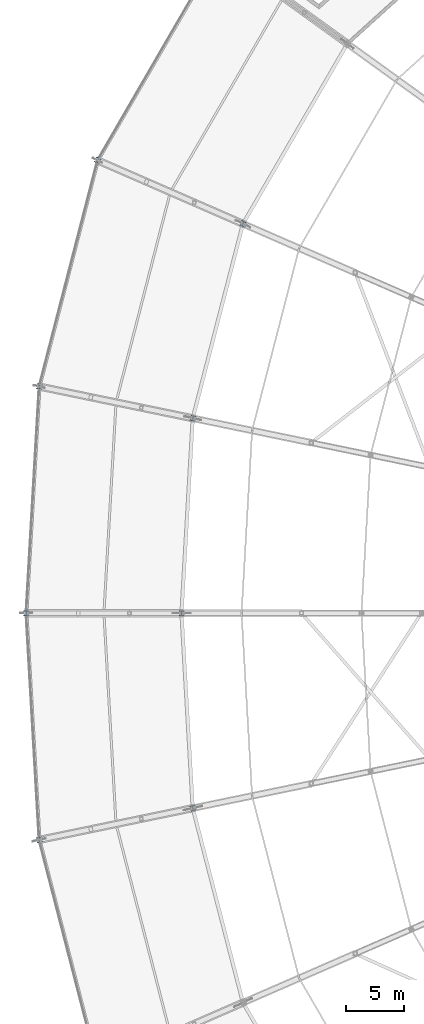
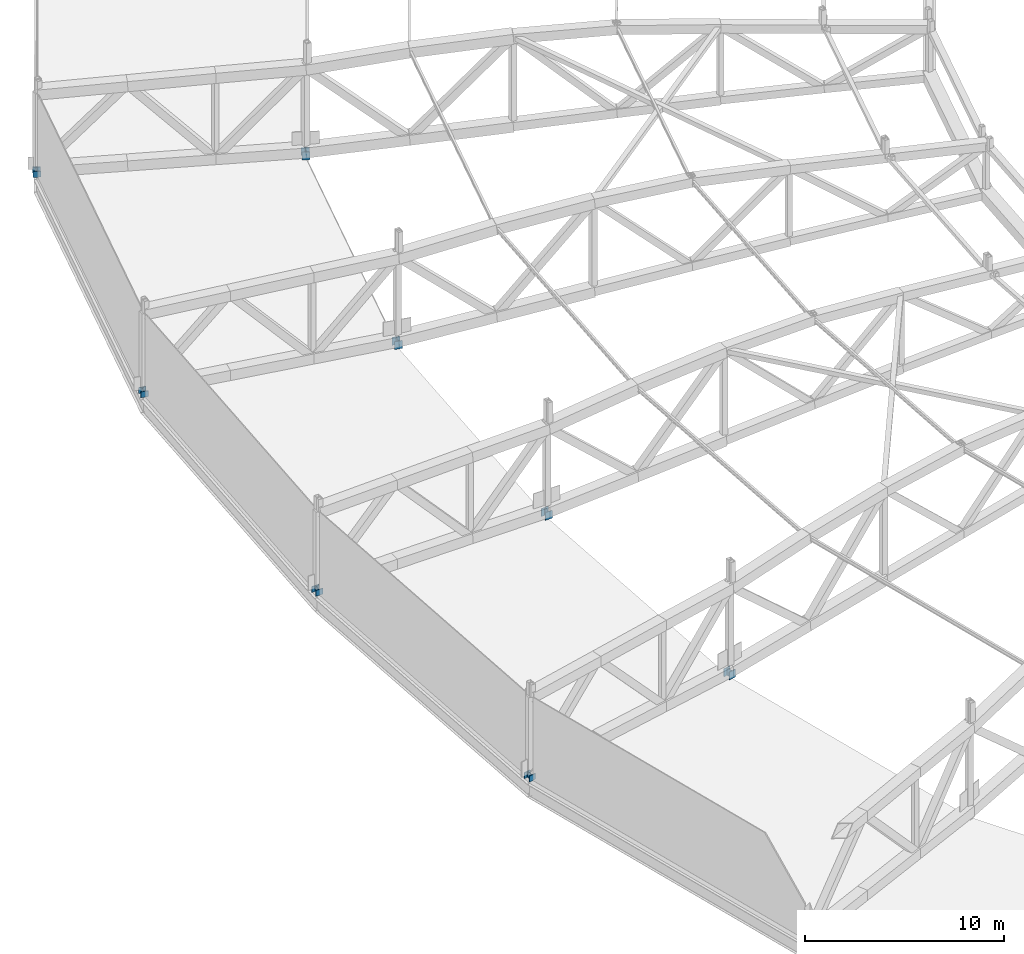
# One storey, part 8 of 162: 8 columns.
"""IFC4 building model written with IfcOpenShell, lengths in metres."""

from ifc_helpers import new_model, si_unit, direction, frame, origin, origin_2d, place, context, subcontext, project, spatial, i_section, extrude, material, material_profile, profile_set, type_object, element, save


model = new_model("IFC4")

# Units and contexts
model_context = context("Model", 3, precision=1e-05, world=origin(), true_north=direction((0.0, 1.0)))
body_context = subcontext(model_context, "Body", "Model", "MODEL_VIEW")
ifc_project = project(units=[si_unit("LENGTHUNIT", "METRE"), si_unit("AREAUNIT", "SQUARE_METRE"), si_unit("VOLUMEUNIT", "CUBIC_METRE"), si_unit("PLANEANGLEUNIT", "RADIAN"), si_unit("MASSUNIT", "GRAM", prefix="KILO")], contexts=[model_context])

# Site, building, storey
site_placement = place(None, origin())
site = spatial("IfcSite", under=ifc_project, at=site_placement, CompositionType="ELEMENT")
building_placement = place(site_placement, origin())
building = spatial("IfcBuilding", under=site, at=building_placement, Name="Kazemori Nagisa Stadium", CompositionType="ELEMENT")
storey_placement = place(building_placement, frame((0.0, 0.0, 36.719970703125)))
storey = spatial("IfcBuildingStorey", under=building, at=storey_placement, Name="RF", CompositionType="ELEMENT", Elevation=36.719970703125)

# Columns
ifc_material = material(Name="Steel SN490B", Category="steel")
ifc_material_profile = material_profile(ifc_material, i_section(OverallWidth=0.406982421875, OverallDepth=0.427978515625, WebThickness=0.02001953125, FlangeThickness=0.034912109375, FilletRadius=0.012939453125, at=origin_2d()), Name="H-428x407x20x35")
ifc_profile_set = profile_set([ifc_material_profile], Name="Steel SN490B")
column_type = type_object("IfcColumnType", Name="Column_C-H428", PredefinedType="COLUMN", material=ifc_profile_set)
column_1_placement = place(storey_placement, frame((34.114990234375, 140.74951171875, 0.0), z_axis=(0.0, 0.0, 1.0), x_axis=(-0.900968867905, 0.433883739113, 0.0)))
element("IfcColumn", 1, at=column_1_placement, inside=storey, type_object=column_type, Name="Roof truss bearing pedestal R3-13", PredefinedType="COLUMN", context=body_context, shape_type="SweptSolid", body=[
    extrude(i_section(OverallWidth=0.406982421875, OverallDepth=0.427978515625, WebThickness=0.02001953125, FlangeThickness=0.034912109375, FilletRadius=0.012939453125, at=origin_2d()), origin(), (0.0, 0.0, 1.0), 0.360107421875),
])
column_2_placement = place(storey_placement, frame((46.55908203125, 135.32470703125, 0.0), z_axis=(0.0, 0.0, 1.0), x_axis=(-0.900968867905, 0.433883739113, 0.0)))
element("IfcColumn", 2, at=column_2_placement, inside=storey, type_object=column_type, Name="Roof truss bearing pedestal R2-13", PredefinedType="COLUMN", context=body_context, shape_type="SweptSolid", body=[
    extrude(i_section(OverallWidth=0.406982421875, OverallDepth=0.427978515625, WebThickness=0.02001953125, FlangeThickness=0.034912109375, FilletRadius=0.012939453125, at=origin_2d()), origin(), (0.0, 0.0, 1.0), 0.47998046875),
])
column_3_placement = place(storey_placement, frame((29.119140625, 121.397705078125, 0.0), z_axis=(0.0, 0.0, 1.0), x_axis=(-0.974927912182, 0.222520933954, 0.0)))
element("IfcColumn", 3, at=column_3_placement, inside=storey, type_object=column_type, Name="Roof truss bearing pedestal R3-14", PredefinedType="COLUMN", context=body_context, shape_type="SweptSolid", body=[
    extrude(i_section(OverallWidth=0.406982421875, OverallDepth=0.427978515625, WebThickness=0.02001953125, FlangeThickness=0.034912109375, FilletRadius=0.012939453125, at=origin_2d()), origin(), (0.0, 0.0, 1.0), 0.360107421875),
])
column_4_placement = place(storey_placement, frame((42.262451171875, 118.68212890625, 0.0), z_axis=(0.0, 0.0, 1.0), x_axis=(-0.974927912182, 0.222520933954, 0.0)))
element("IfcColumn", 4, at=column_4_placement, inside=storey, type_object=column_type, Name="Roof truss bearing pedestal R2-14", PredefinedType="COLUMN", context=body_context, shape_type="SweptSolid", body=[
    extrude(i_section(OverallWidth=0.406982421875, OverallDepth=0.427978515625, WebThickness=0.02001953125, FlangeThickness=0.034912109375, FilletRadius=0.012939453125, at=origin_2d()), origin(), (0.0, 0.0, 1.0), 0.47998046875),
])
column_5_placement = place(storey_placement, frame((28.0, 102.0, 0.0), z_axis=(0.0, 0.0, 1.0), x_axis=(-1.0, 0.0, 0.0)))
element("IfcColumn", 5, at=column_5_placement, inside=storey, type_object=column_type, Name="Roof truss bearing pedestal R3-15", PredefinedType="COLUMN", context=body_context, shape_type="SweptSolid", body=[
    extrude(i_section(OverallWidth=0.406982421875, OverallDepth=0.427978515625, WebThickness=0.02001953125, FlangeThickness=0.034912109375, FilletRadius=0.012939453125, at=origin_2d()), origin(), (0.0, 0.0, 1.0), 0.360107421875),
])
column_6_placement = place(storey_placement, frame((41.300048828125, 102.0, 0.0), z_axis=(0.0, 0.0, 1.0), x_axis=(-1.0, 0.0, 0.0)))
element("IfcColumn", 6, at=column_6_placement, inside=storey, type_object=column_type, Name="Roof truss bearing pedestal R2-15", PredefinedType="COLUMN", context=body_context, shape_type="SweptSolid", body=[
    extrude(i_section(OverallWidth=0.406982421875, OverallDepth=0.427978515625, WebThickness=0.02001953125, FlangeThickness=0.034912109375, FilletRadius=0.012939453125, at=origin_2d()), origin(), (0.0, 0.0, 1.0), 0.47998046875),
])
column_7_placement = place(storey_placement, frame((29.119140625, 82.602294921875, 0.0), z_axis=(0.0, 0.0, 1.0), x_axis=(-0.974927912182, -0.222520933954, 0.0)))
element("IfcColumn", 7, at=column_7_placement, inside=storey, type_object=column_type, Name="Roof truss bearing pedestal R3-16", PredefinedType="COLUMN", context=body_context, shape_type="SweptSolid", body=[
    extrude(i_section(OverallWidth=0.406982421875, OverallDepth=0.427978515625, WebThickness=0.02001953125, FlangeThickness=0.034912109375, FilletRadius=0.012939453125, at=origin_2d()), origin(), (0.0, 0.0, 1.0), 0.360107421875),
])
column_8_placement = place(storey_placement, frame((42.262451171875, 85.31787109375, 0.0), z_axis=(0.0, 0.0, 1.0), x_axis=(-0.974927912182, -0.222520933954, 0.0)))
element("IfcColumn", 8, at=column_8_placement, inside=storey, type_object=column_type, Name="Roof truss bearing pedestal R2-16", PredefinedType="COLUMN", context=body_context, shape_type="SweptSolid", body=[
    extrude(i_section(OverallWidth=0.406982421875, OverallDepth=0.427978515625, WebThickness=0.02001953125, FlangeThickness=0.034912109375, FilletRadius=0.012939453125, at=origin_2d()), origin(), (0.0, 0.0, 1.0), 0.47998046875),
])

save(model, "model.ifc")
